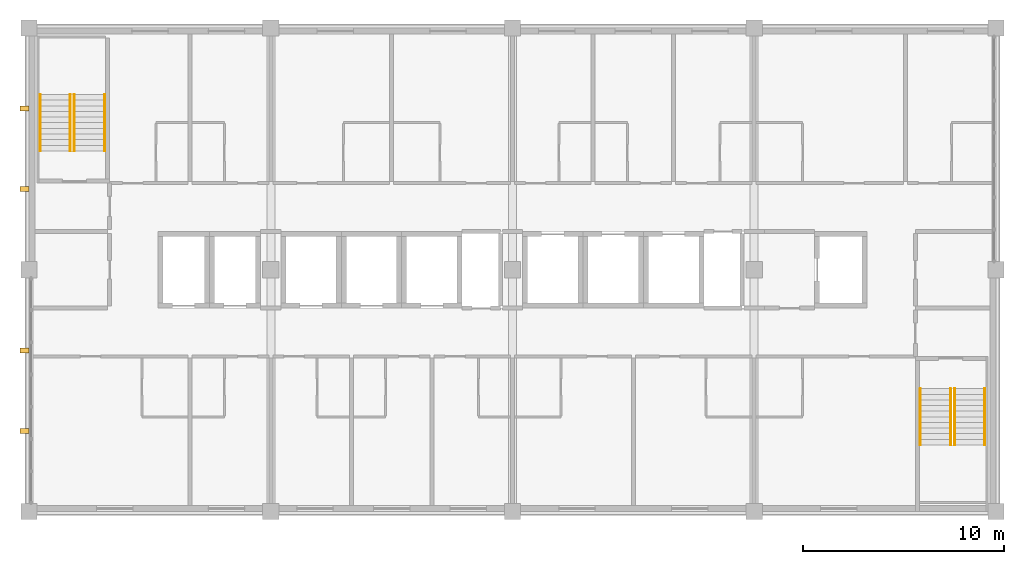
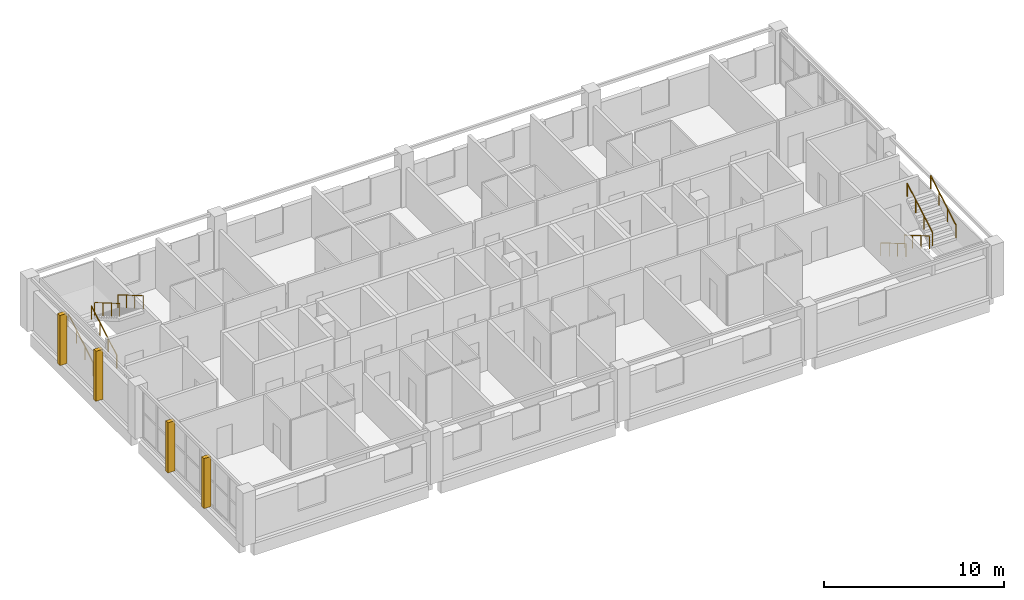
# One storey, part 11 of 11: 8 railings, 4 coverings.
"""IFC4 building model written with IfcOpenShell, lengths in metres."""

import ifcopenshell
import ifcopenshell.guid

model = None  # the IFC model being written
_history = None  # IfcOwnerHistory: only IFC2X3 demands one
_inside = {}  # id of a spatial element -> (the spatial element, [elements in it])
_under = {}  # id of a project, library or spatial element -> (it, [spatial elements below it])
_declared = {}  # id of a project -> (the project, [libraries it declares])
_typed = {}  # id of a type object -> (the type object, [elements of that type])
_made_of = {}  # id of a material, layer set ... -> (it, [elements and type objects made of it])


def new_model(schema):
    """Start an empty IFC model of exactly this schema.

    Asked for "IFC4X3", IfcOpenShell would pick the latest addendum, in which some entities
    have other attributes; the version numbers below select the first issue.
    IFC2X3 requires an IfcOwnerHistory on every rooted entity: one is made here for all.
    """
    global model, _history
    if schema == "IFC4X3":
        model = ifcopenshell.file(schema_version=(4, 3, 0, 0))
    else:
        model = ifcopenshell.file(schema=schema)
    _inside.clear()
    _under.clear()
    _declared.clear()
    _typed.clear()
    _made_of.clear()
    _history = None
    if model.schema == "IFC2X3":
        org = make("IfcOrganization", Name="unknown")
        user = make(
            "IfcPersonAndOrganization",
            ThePerson=make("IfcPerson", FamilyName="unknown"),
            TheOrganization=org,
        )
        app = make(
            "IfcApplication",
            ApplicationDeveloper=org,
            Version="unknown",
            ApplicationFullName="unknown",
            ApplicationIdentifier="unknown",
        )
        _history = make(
            "IfcOwnerHistory",
            OwningUser=user,
            OwningApplication=app,
            ChangeAction="ADDED",
            CreationDate=0,
        )
    return model


def make(cls, **values):
    """One entity of the class cls with the attributes given. An attribute that is None is left unset."""
    return model.create_entity(
        cls, **{name: value for name, value in values.items() if value is not None}
    )


def rooted(cls, **values):
    """An entity with a GlobalId (a new one), such as an element, a storey or a relation."""
    return make(cls, GlobalId=ifcopenshell.guid.new(), OwnerHistory=_history, **values)


def si_unit(unit_type, name, prefix=None):
    """IfcSIUnit, for example si_unit("LENGTHUNIT", "METRE", prefix="MILLI")."""
    return make("IfcSIUnit", UnitType=unit_type, Prefix=prefix, Name=name)


def assignment(units):
    """IfcUnitAssignment: the units of a project."""
    return None if units is None else make("IfcUnitAssignment", Units=units)


def point(xyz):
    """IfcCartesianPoint."""
    return None if xyz is None else make("IfcCartesianPoint", Coordinates=xyz)


def direction(xyz):
    """IfcDirection."""
    return None if xyz is None else make("IfcDirection", DirectionRatios=xyz)


def frame(location, z_axis=None, x_axis=None):
    """IfcAxis2Placement3D, a coordinate frame: its origin and axes. An axis left out is left unset."""
    return make(
        "IfcAxis2Placement3D",
        Location=point(location),
        Axis=direction(z_axis),
        RefDirection=direction(x_axis),
    )


def frame_2d(location, x_axis=None):
    """IfcAxis2Placement2D, a coordinate frame in the plane: its origin and x axis."""
    return make(
        "IfcAxis2Placement2D", Location=point(location), RefDirection=direction(x_axis)
    )


def origin():
    """The frame at (0, 0, 0) with its axes left unset."""
    return frame((0.0, 0.0, 0.0))


def origin_2d():
    """The frame at (0, 0) in the plane with its x axis left unset."""
    return frame_2d((0.0, 0.0))


def place(relative_to, where):
    """IfcLocalPlacement: puts the frame where relative to a parent placement (None: the world)."""
    return make(
        "IfcLocalPlacement", PlacementRelTo=relative_to, RelativePlacement=where
    )


def context(
    kind, dimensions, precision=None, world=None, true_north=None, identifier=None
):
    """IfcGeometricRepresentationContext, for example the 3D "Model" context."""
    return make(
        "IfcGeometricRepresentationContext",
        ContextIdentifier=identifier,
        ContextType=kind,
        CoordinateSpaceDimension=dimensions,
        Precision=precision,
        WorldCoordinateSystem=world,
        TrueNorth=true_north,
    )


def subcontext(parent, identifier, kind, view, scale=None):
    """IfcGeometricRepresentationSubContext, for example "Body" below "Model"."""
    return make(
        "IfcGeometricRepresentationSubContext",
        ContextIdentifier=identifier,
        ContextType=kind,
        ParentContext=parent,
        TargetScale=scale,
        TargetView=view,
    )


def project(units=None, contexts=None):
    """IfcProject with its units and contexts."""
    return rooted(
        "IfcProject",
        Name="project",
        RepresentationContexts=contexts,
        UnitsInContext=assignment(units),
    )


def spatial(cls, under=None, at=None, **own):
    """A site, building, storey or space (cls), placed at a placement, below another one or the project."""
    s = rooted(cls, ObjectPlacement=at, **own)
    if under is not None:
        _under.setdefault(under.id(), (under, []))[1].append(s)
    return s


def profile(cls, at=None, kind="AREA", **sizes):
    """A parametric profile (cls). Its sizes go by their IFC names, for example OverallWidth=200.0."""
    return make(cls, ProfileType=kind, Position=at, **sizes)


def rectangle(**sizes):
    """IfcRectangleProfileDef."""
    return profile("IfcRectangleProfileDef", **sizes)


def circle(**sizes):
    """IfcCircleProfileDef."""
    return profile("IfcCircleProfileDef", **sizes)


def extrude(swept, where, along, depth):
    """IfcExtrudedAreaSolid: the profile swept, set in the frame where, extruded along a direction by depth."""
    return make(
        "IfcExtrudedAreaSolid",
        SweptArea=swept,
        Position=where,
        ExtrudedDirection=direction(along),
        Depth=depth,
    )


def shape(context_of_items, identifier, shape_type, items):
    """IfcShapeRepresentation: the items that make up one representation, for example the "Body"."""
    return make(
        "IfcShapeRepresentation",
        ContextOfItems=context_of_items,
        RepresentationIdentifier=identifier,
        RepresentationType=shape_type,
        Items=items,
    )


def material(Name=None, Category=None):
    """IfcMaterial."""
    return make("IfcMaterial", Name=Name, Category=Category)


def layer(
    of_material, thickness, ventilated=None, Name=None, Category=None, Priority=None
):
    """IfcMaterialLayer: one layer of a wall or slab, of a material (None: an air gap)."""
    return make(
        "IfcMaterialLayer",
        Material=of_material,
        LayerThickness=thickness,
        IsVentilated=ventilated,
        Name=Name,
        Category=Category,
        Priority=Priority,
    )


def layer_set(layers, Name=None):
    """IfcMaterialLayerSet."""
    return make("IfcMaterialLayerSet", MaterialLayers=layers, LayerSetName=Name)


def made_of(thing, what):
    """Note that an element or type object is made of a material, layer set ...; save() writes the relation."""
    if what is not None:
        _made_of.setdefault(what.id(), (what, []))[1].append(thing)
    return thing


def type_object(cls, material=None, **own):
    """A type object (cls), such as IfcWallType, which elements share."""
    return made_of(rooted(cls, **own), material)


def element(
    cls,
    number,
    at=None,
    inside=None,
    cuts=None,
    type_object=None,
    material=None,
    context=None,
    identifier="Body",
    shape_type=None,
    held_by="IfcProductDefinitionShape",
    body=None,
    shapes=None,
    **own,
):
    """One element of the class cls, such as IfcWall. Its Tag is "e" and its number.

    at: its placement. inside: the storey or other place that contains it. cuts: it is an
    opening in that element (IfcRelVoidsElement). A single representation is given by context,
    identifier, shape_type and body (its items); several are given by shapes. held_by: the class
    of the entity that holds the representations. save() writes the other relations.
    """
    e = rooted(cls, Tag="e%d" % number, ObjectPlacement=at, **own)
    if body is not None:
        shapes = [shape(context, identifier, shape_type, body)]
    if shapes is not None:
        e.Representation = make(held_by, Representations=shapes)
    if inside is not None:
        _inside.setdefault(inside.id(), (inside, []))[1].append(e)
    if cuts is not None:
        rooted(
            "IfcRelVoidsElement", RelatingBuildingElement=cuts, RelatedOpeningElement=e
        )
    if type_object is not None:
        _typed.setdefault(type_object.id(), (type_object, []))[1].append(e)
    return made_of(e, material)


def aggregate(whole, parts):
    """IfcRelAggregates: a whole, such as a stair, and the parts it consists of."""
    return rooted("IfcRelAggregates", RelatingObject=whole, RelatedObjects=parts)


def save(model, path):
    """Write the relations noted so far, then the file.

    IfcRelAggregates (storeys below a building ...), IfcRelContainedInSpatialStructure (elements
    in a storey), IfcRelDefinesByType, IfcRelAssociatesMaterial and IfcRelDeclares: one each for
    every whole, place, type object, material and project.
    """
    for whole, parts in _under.values():
        aggregate(whole, parts)
    for where, things in _inside.values():
        rooted(
            "IfcRelContainedInSpatialStructure",
            RelatedElements=things,
            RelatingStructure=where,
        )
    for kind, things in _typed.values():
        rooted("IfcRelDefinesByType", RelatedObjects=things, RelatingType=kind)
    for what, things in _made_of.values():
        rooted("IfcRelAssociatesMaterial", RelatedObjects=things, RelatingMaterial=what)
    for by, libraries in _declared.values():
        rooted("IfcRelDeclares", RelatingContext=by, RelatedDefinitions=libraries)
    model.write(path)


model = new_model("IFC4")

# Units and contexts
model_context = context("Model", 3, precision=1e-05, world=origin(), true_north=direction((0.0, 1.0)))
body_context = subcontext(model_context, "Body", "Model", "MODEL_VIEW")
ifc_project = project(units=[si_unit("LENGTHUNIT", "METRE"), si_unit("AREAUNIT", "SQUARE_METRE"), si_unit("VOLUMEUNIT", "CUBIC_METRE"), si_unit("PLANEANGLEUNIT", "RADIAN"), si_unit("MASSUNIT", "GRAM", prefix="KILO")], contexts=[model_context])

# Site, building, storey
site_placement = place(None, origin())
site = spatial("IfcSite", under=ifc_project, at=site_placement, CompositionType="ELEMENT")
building_placement = place(site_placement, origin())
building = spatial("IfcBuilding", under=site, at=building_placement, Name="Lilac Gate Convention Centre", CompositionType="ELEMENT")
storey_placement = place(building_placement, frame((0.0, 0.0, 42.60009765625)))
storey = spatial("IfcBuildingStorey", under=building, at=storey_placement, Name="L10", CompositionType="ELEMENT", Elevation=42.60009765625)

# Coverings
ifc_material_1 = material(Name="Concrete C40 precast", Category="concrete")
ifc_layer_1 = layer(ifc_material_1, 0.22998046875)
ifc_material_2 = material(Name="Terracotta glazed cladding", Category="masonry")
ifc_layer_2 = layer(ifc_material_2, 0.02001953125)
ifc_layer_set = layer_set([ifc_layer_1, ifc_layer_2], Name="Concrete C40 precast, Terracotta glazed cladding")
covering_type = type_object("IfcCoveringType", Name="Precast fin 250 x 450", PredefinedType="CLADDING", material=ifc_layer_set)
for number, where, z_axis, x_axis, name in (
    (1, (41.550048828125, 226.0, 0.0), (0.0, 0.0, 1.0), (1.0, 0.0, 0.0), "Precast fin west L10 226"),
    (2, (41.550048828125, 230.0, 0.0), (0.0, 0.0, 1.0), (1.0, 0.0, 0.0), "Precast fin west L10 230"),
    (3, (41.550048828125, 238.0, 0.0), (0.0, 0.0, 1.0), (1.0, 0.0, 0.0), "Precast fin west L10 238"),
    (4, (41.550048828125, 242.0, 0.0), (0.0, 0.0, 1.0), (1.0, 0.0, 0.0), "Precast fin west L10 242"),
):
    element("IfcCovering", number, at=place(storey_placement, frame(where, z_axis=z_axis, x_axis=x_axis)), inside=storey, type_object=covering_type, Name=name, PredefinedType="CLADDING", context=body_context, shape_type="SweptSolid", body=[
        extrude(rectangle(XDim=0.449951171875, YDim=0.25, at=frame_2d((0.22509765625, 0.0))), origin(), (0.0, 0.0, 1.0), 3.39990234375),
    ])

# Railings
ifc_material_3 = material(Name="Stainless steel 304", Category="steel")
railing_type = type_object("IfcRailingType", Name="Stair handrail", PredefinedType="HANDRAIL", material=ifc_material_3)
for number, where, name in (
    (5, (42.550048828125, 239.89990234375, 0.16357421875), "Handrail NW L10 flight 1"),
    (6, (44.050048828125, 239.89990234375, 0.16357421875), "Handrail NW L10 flight 1"),
):
    element("IfcRailing", number, at=place(storey_placement, frame(where)), inside=storey, type_object=railing_type, Name=name, PredefinedType="HANDRAIL", context=body_context, shape_type="SweptSolid", body=[
        extrude(circle(Radius=0.02392578125, at=origin_2d()), frame((0.0, 0.0, 0.8759765625), z_axis=(0.0, 0.863393664356, 0.504530851732), x_axis=(-1.0, 0.0, 0.0)), (0.0, 0.0, 1.0), 3.2431640625),
        extrude(circle(Radius=0.02099609375, at=origin_2d()), origin(), (0.0, 0.0, 1.0), 0.851806640625),
        extrude(circle(Radius=0.02099609375, at=origin_2d()), frame((0.0, 0.933349609375, 0.54541015625)), (0.0, 0.0, 1.0), 0.851806640625),
        extrude(circle(Radius=0.02099609375, at=origin_2d()), frame((0.0, 1.86669921875, 1.0908203125)), (0.0, 0.0, 1.0), 0.851806640625),
        extrude(circle(Radius=0.02099609375, at=origin_2d()), frame((0.0, 2.800048828125, 1.63623046875)), (0.0, 0.0, 1.0), 0.851806640625),
    ])
for number, where, name in (
    (7, (45.75, 242.699951171875, 1.963623046875), "Handrail NW L10 flight 2"),
    (8, (44.25, 242.699951171875, 1.963623046875), "Handrail NW L10 flight 2"),
    (9, (87.75, 228.10009765625, 0.16357421875), "Handrail SE L10 flight 1"),
    (10, (86.25, 228.10009765625, 0.16357421875), "Handrail SE L10 flight 1"),
):
    element("IfcRailing", number, at=place(storey_placement, frame(where)), inside=storey, type_object=railing_type, Name=name, PredefinedType="HANDRAIL", context=body_context, shape_type="SweptSolid", body=[
        extrude(circle(Radius=0.02392578125, at=origin_2d()), frame((0.0, 0.0, 0.8759765625), z_axis=(0.0, -0.863393664356, 0.504530851732), x_axis=(1.0, 0.0, 0.0)), (0.0, 0.0, 1.0), 3.2431640625),
        extrude(circle(Radius=0.02099609375, at=origin_2d()), origin(), (0.0, 0.0, 1.0), 0.851806640625),
        extrude(circle(Radius=0.02099609375, at=origin_2d()), frame((0.0, -0.933349609375, 0.54541015625)), (0.0, 0.0, 1.0), 0.851806640625),
        extrude(circle(Radius=0.02099609375, at=origin_2d()), frame((0.0, -1.86669921875, 1.0908203125)), (0.0, 0.0, 1.0), 0.851806640625),
        extrude(circle(Radius=0.02099609375, at=origin_2d()), frame((0.0, -2.800048828125, 1.63623046875)), (0.0, 0.0, 1.0), 0.851806640625),
    ])
for number, where, name in (
    (11, (87.949951171875, 225.300048828125, 1.963623046875), "Handrail SE L10 flight 2"),
    (12, (89.449951171875, 225.300048828125, 1.963623046875), "Handrail SE L10 flight 2"),
):
    element("IfcRailing", number, at=place(storey_placement, frame(where)), inside=storey, type_object=railing_type, Name=name, PredefinedType="HANDRAIL", context=body_context, shape_type="SweptSolid", body=[
        extrude(circle(Radius=0.02392578125, at=origin_2d()), frame((0.0, 0.0, 0.8759765625), z_axis=(0.0, 0.863393664356, 0.504530851732), x_axis=(-1.0, 0.0, 0.0)), (0.0, 0.0, 1.0), 3.2431640625),
        extrude(circle(Radius=0.02099609375, at=origin_2d()), origin(), (0.0, 0.0, 1.0), 0.851806640625),
        extrude(circle(Radius=0.02099609375, at=origin_2d()), frame((0.0, 0.933349609375, 0.54541015625)), (0.0, 0.0, 1.0), 0.851806640625),
        extrude(circle(Radius=0.02099609375, at=origin_2d()), frame((0.0, 1.86669921875, 1.0908203125)), (0.0, 0.0, 1.0), 0.851806640625),
        extrude(circle(Radius=0.02099609375, at=origin_2d()), frame((0.0, 2.800048828125, 1.63623046875)), (0.0, 0.0, 1.0), 0.851806640625),
    ])

save(model, "model.ifc")
